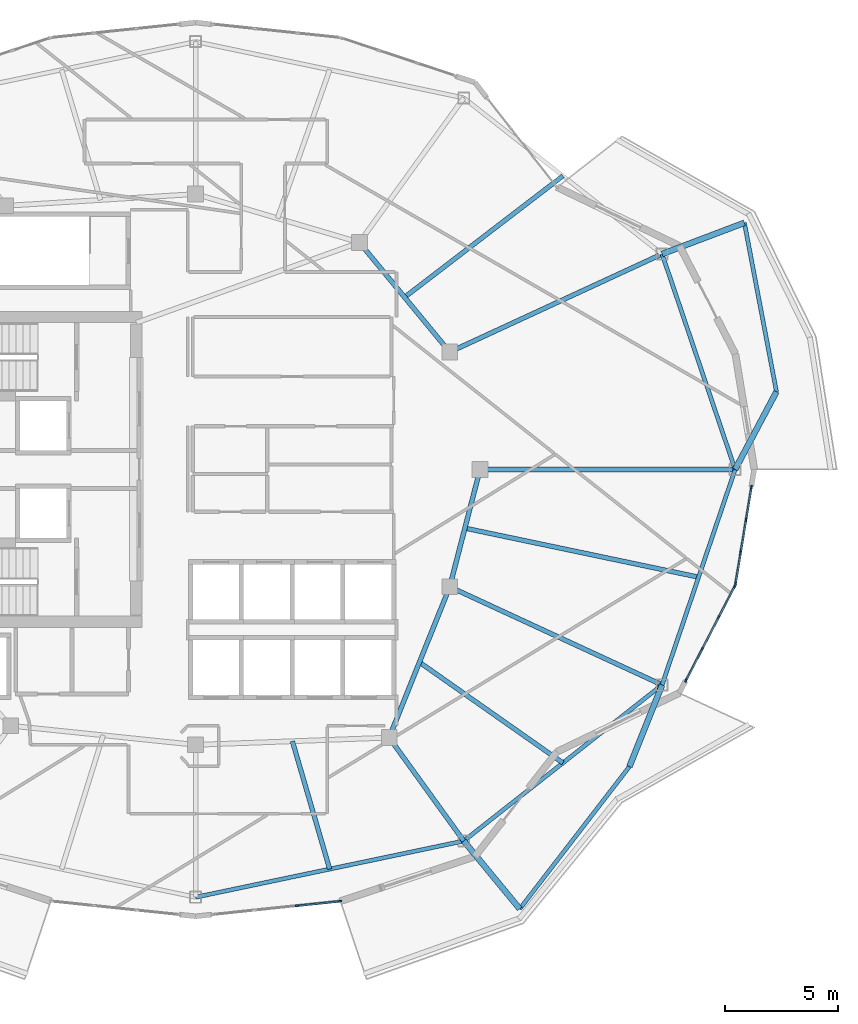
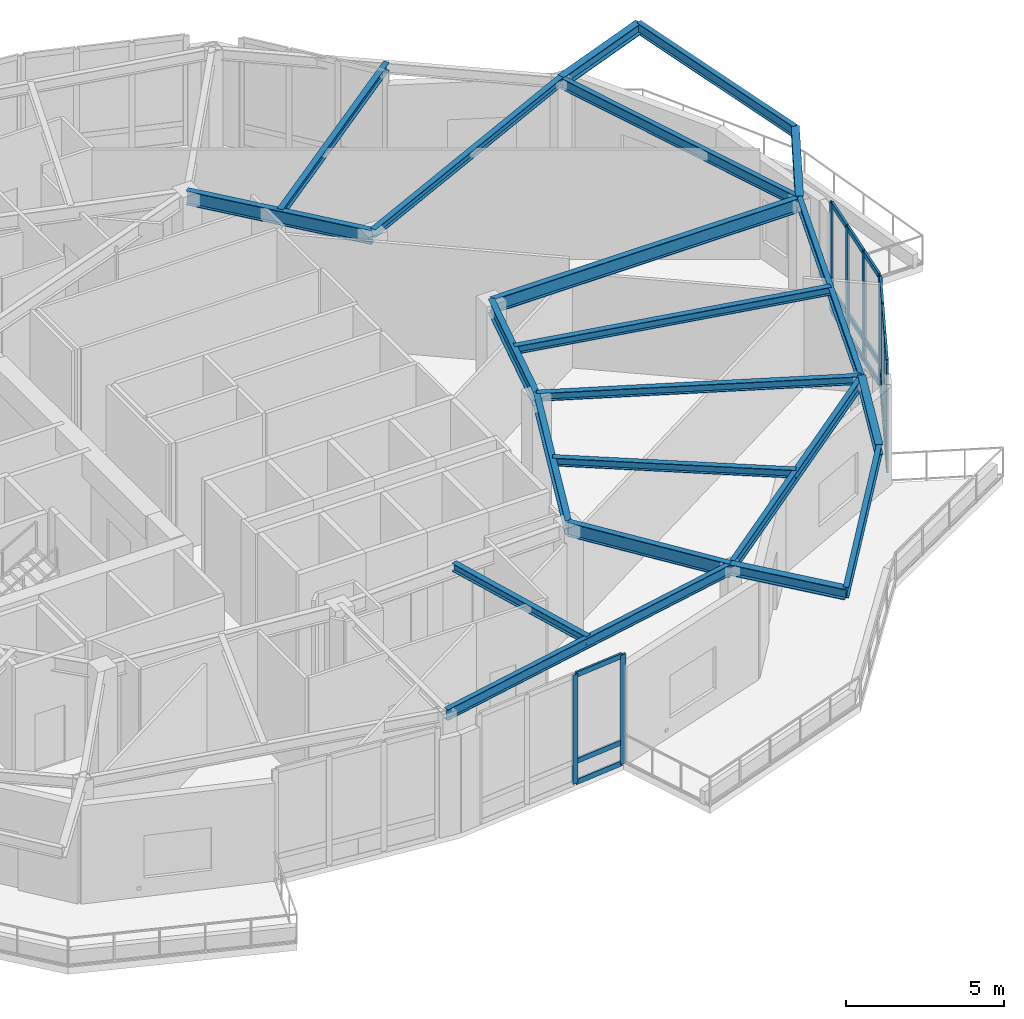
# One storey, part 4 of 15: 31 members, 21 beams, 3 elements without a shape of their own.
"""IFC4 building model written with IfcOpenShell, lengths in metres."""

from ifc_helpers import new_model, si_unit, direction, frame, origin, origin_2d, place, context, subcontext, project, spatial, rectangle, i_section, extrude, material, layer, layer_set, material_profile, profile_set, type_object, element, aggregate, save


model = new_model("IFC4")

# Units and contexts
model_context = context("Model", 3, precision=1e-05, world=origin(), true_north=direction((0.0, 1.0)))
body_context = subcontext(model_context, "Body", "Model", "MODEL_VIEW")
ifc_project = project(units=[si_unit("LENGTHUNIT", "METRE"), si_unit("AREAUNIT", "SQUARE_METRE"), si_unit("VOLUMEUNIT", "CUBIC_METRE"), si_unit("PLANEANGLEUNIT", "RADIAN"), si_unit("MASSUNIT", "GRAM", prefix="KILO")], contexts=[model_context])

# Site, building, storey
site_placement = place(None, origin())
site = spatial("IfcSite", under=ifc_project, at=site_placement, CompositionType="ELEMENT")
building_placement = place(site_placement, origin())
building = spatial("IfcBuilding", under=site, at=building_placement, Name="Kolvaren Gate Tower and Convention Centre", CompositionType="ELEMENT")
storey_placement = place(building_placement, frame((0.0, 0.0, 191.89990234375)))
storey = spatial("IfcBuildingStorey", under=building, at=storey_placement, Name="L50", CompositionType="ELEMENT", Elevation=191.89990234375)

# Curtain wall, members
ifc_material_1 = material(Name="Anodized Architectural Aluminium Alloy 6063-T6", Category="aluminium")
ifc_layer = layer(ifc_material_1, 0.199951171875)
ifc_layer_set = layer_set([ifc_layer], Name="Anodized Architectural Aluminium Alloy 6063-T6")
curtain_wall_type = type_object("IfcCurtainWallType", Name="CW-SKY-GLZ", PredefinedType="NOTDEFINED", material=ifc_layer_set)
curtain_wall_1_placement = place(storey_placement, origin())
curtain_wall_1 = element("IfcCurtainWall", 1, at=curtain_wall_1_placement, inside=storey, type_object=curtain_wall_type, Name="L50 Panoramic Structural Curtain Wall CW-18", PredefinedType="NOTDEFINED")
ifc_material_profile_1 = material_profile(ifc_material_1, rectangle(XDim=0.074951171875, YDim=0.199951171875, at=origin_2d()), Name="CW-MEM-MUL-200")
ifc_profile_set_1 = profile_set([ifc_material_profile_1], Name="Anodized Architectural Aluminium Alloy 6063-T6")
member_type_1 = type_object("IfcMemberType", Name="CW-MEM-MUL-200", PredefinedType="MULLION", material=ifc_profile_set_1)
member_1_placement = place(storey_placement, frame((34.63720703125, 7.67529296875, 0.0), z_axis=(0.0, 0.0, 1.0), x_axis=(-0.104740372947, 0.994499599937, 0.0)))
member_1 = element("IfcMember", 2, at=member_1_placement, type_object=member_type_1, Name="CW-05 mullion 3", PredefinedType="MULLION", context=body_context, shape_type="SweptSolid", body=[
    extrude(rectangle(XDim=0.074951171875, YDim=0.199951171875, at=origin_2d()), origin(), (0.0, 0.0, 1.0), 4.22998046875),
])
member_2_placement = place(storey_placement, frame((36.493408203125, 7.870849609375, 0.0), z_axis=(0.0, 0.0, 1.0), x_axis=(-0.104740372947, 0.994499599937, 0.0)))
member_2 = element("IfcMember", 3, at=member_2_placement, type_object=member_type_1, Name="CW-05 mullion 4", PredefinedType="MULLION", context=body_context, shape_type="SweptSolid", body=[
    extrude(rectangle(XDim=0.074951171875, YDim=0.199951171875, at=origin_2d()), origin(), (0.0, 0.0, 1.0), 4.22998046875),
])

curtain_wall_2_placement = place(storey_placement, origin())
curtain_wall_2 = element("IfcCurtainWall", 4, at=curtain_wall_2_placement, inside=storey, type_object=curtain_wall_type, Name="L50 Panoramic Structural Curtain Wall CW-22", PredefinedType="NOTDEFINED")
member_3_placement = place(storey_placement, frame((51.85302734375, 17.66796875, 0.0), z_axis=(0.0, 0.0, 1.0), x_axis=(-0.888022503095, 0.459799993472, 0.0)))
member_3 = element("IfcMember", 5, at=member_3_placement, type_object=member_type_1, Name="CW-05 mullion 1", PredefinedType="MULLION", context=body_context, shape_type="SweptSolid", body=[
    extrude(rectangle(XDim=0.074951171875, YDim=0.199951171875, at=origin_2d()), origin(), (0.0, 0.0, 1.0), 4.22998046875),
])
member_4_placement = place(storey_placement, frame((52.56787109375, 19.048095703125, 0.0), z_axis=(0.0, 0.0, 1.0), x_axis=(-0.888022503095, 0.459799993472, 0.0)))
member_4 = element("IfcMember", 6, at=member_4_placement, type_object=member_type_1, Name="CW-05 mullion 2", PredefinedType="MULLION", context=body_context, shape_type="SweptSolid", body=[
    extrude(rectangle(XDim=0.074951171875, YDim=0.199951171875, at=origin_2d()), origin(), (0.0, 0.0, 1.0), 4.22998046875),
])
member_5_placement = place(storey_placement, frame((53.2998046875, 20.4619140625, 0.0), z_axis=(0.0, 0.0, 1.0), x_axis=(-0.888022503095, 0.459799993472, 0.0)))
member_5 = element("IfcMember", 7, at=member_5_placement, type_object=member_type_1, Name="CW-05 mullion 3", PredefinedType="MULLION", context=body_context, shape_type="SweptSolid", body=[
    extrude(rectangle(XDim=0.074951171875, YDim=0.199951171875, at=origin_2d()), origin(), (0.0, 0.0, 1.0), 4.22998046875),
])
member_6_placement = place(storey_placement, frame((54.014404296875, 21.842041015625, 0.0), z_axis=(0.0, 0.0, 1.0), x_axis=(-0.888022503095, 0.459799993472, 0.0)))
member_6 = element("IfcMember", 8, at=member_6_placement, type_object=member_type_1, Name="CW-05 mullion 4", PredefinedType="MULLION", context=body_context, shape_type="SweptSolid", body=[
    extrude(rectangle(XDim=0.074951171875, YDim=0.199951171875, at=origin_2d()), origin(), (0.0, 0.0, 1.0), 4.22998046875),
])

curtain_wall_3_placement = place(storey_placement, origin())
curtain_wall_3 = element("IfcCurtainWall", 9, at=curtain_wall_3_placement, inside=storey, type_object=curtain_wall_type, Name="L50 Panoramic Structural Curtain Wall CW-23", PredefinedType="NOTDEFINED")
member_7_placement = place(storey_placement, frame((54.037841796875, 21.912353515625, 0.0), z_axis=(0.0, 0.0, 1.0), x_axis=(-0.986730888118, 0.162364264646, 0.0)))
member_7 = element("IfcMember", 10, at=member_7_placement, type_object=member_type_1, Name="CW-05 mullion 1", PredefinedType="MULLION", context=body_context, shape_type="SweptSolid", body=[
    extrude(rectangle(XDim=0.074951171875, YDim=0.199951171875, at=origin_2d()), origin(), (0.0, 0.0, 1.0), 4.22998046875),
])
member_8_placement = place(storey_placement, frame((54.270751953125, 23.327880859375, 0.0), z_axis=(0.0, 0.0, 1.0), x_axis=(-0.986730888118, 0.162364264646, 0.0)))
member_8 = element("IfcMember", 11, at=member_8_placement, type_object=member_type_1, Name="CW-05 mullion 2", PredefinedType="MULLION", context=body_context, shape_type="SweptSolid", body=[
    extrude(rectangle(XDim=0.074951171875, YDim=0.199951171875, at=origin_2d()), origin(), (0.0, 0.0, 1.0), 4.22998046875),
])
member_9_placement = place(storey_placement, frame((54.509765625, 24.7802734375, 0.0), z_axis=(0.0, 0.0, 1.0), x_axis=(-0.986730888118, 0.162364264646, 0.0)))
member_9 = element("IfcMember", 12, at=member_9_placement, type_object=member_type_1, Name="CW-05 mullion 3", PredefinedType="MULLION", context=body_context, shape_type="SweptSolid", body=[
    extrude(rectangle(XDim=0.074951171875, YDim=0.199951171875, at=origin_2d()), origin(), (0.0, 0.0, 1.0), 4.22998046875),
])
member_10_placement = place(storey_placement, frame((54.74267578125, 26.19580078125, 0.0), z_axis=(0.0, 0.0, 1.0), x_axis=(-0.986730888118, 0.162364264646, 0.0)))
member_10 = element("IfcMember", 13, at=member_10_placement, type_object=member_type_1, Name="CW-05 mullion 4", PredefinedType="MULLION", context=body_context, shape_type="SweptSolid", body=[
    extrude(rectangle(XDim=0.074951171875, YDim=0.199951171875, at=origin_2d()), origin(), (0.0, 0.0, 1.0), 4.22998046875),
])

# Member
ifc_material_profile_2 = material_profile(ifc_material_1, rectangle(XDim=0.074951171875, YDim=0.199951171875, at=origin_2d()), Name="CW-MEM-TRN-200")
ifc_profile_set_2 = profile_set([ifc_material_profile_2], Name="Anodized Architectural Aluminium Alloy 6063-T6")
member_type_2 = type_object("IfcMemberType", Name="CW-MEM-TRN-200", PredefinedType="USERDEFINED", material=ifc_profile_set_2)
member_11_placement = place(storey_placement, frame((34.674560546875, 7.67919921875, 0.03759765625), z_axis=(0.994494247003, 0.104791186071, 0.0), x_axis=(-0.104791186071, 0.994494247003, 0.0)))
member_11 = element("IfcMember", 14, at=member_11_placement, type_object=member_type_2, Name="CW-05 transom 3.1", ObjectType="TRANSOM", PredefinedType="USERDEFINED", context=body_context, shape_type="SweptSolid", body=[
    extrude(rectangle(XDim=0.074951171875, YDim=0.199951171875, at=origin_2d()), origin(), (0.0, 0.0, 1.0), 1.79150390625),
])

member_12_placement = place(storey_placement, frame((34.674560546875, 7.67919921875, 0.85009765625), z_axis=(0.994494247003, 0.104791186071, 0.0), x_axis=(-0.104791186071, 0.994494247003, 0.0)))
member_12 = element("IfcMember", 15, at=member_12_placement, type_object=member_type_2, Name="CW-05 transom 3.2", ObjectType="TRANSOM", PredefinedType="USERDEFINED", context=body_context, shape_type="SweptSolid", body=[
    extrude(rectangle(XDim=0.074951171875, YDim=0.199951171875, at=origin_2d()), origin(), (0.0, 0.0, 1.0), 1.79150390625),
])

member_13_placement = place(storey_placement, frame((34.674560546875, 7.67919921875, 4.192626953125), z_axis=(0.994494247003, 0.104791186071, 0.0), x_axis=(-0.104791186071, 0.994494247003, 0.0)))
member_13 = element("IfcMember", 16, at=member_13_placement, type_object=member_type_2, Name="CW-05 transom 3.3", ObjectType="TRANSOM", PredefinedType="USERDEFINED", context=body_context, shape_type="SweptSolid", body=[
    extrude(rectangle(XDim=0.074951171875, YDim=0.199951171875, at=origin_2d()), origin(), (0.0, 0.0, 1.0), 1.79150390625),
])

aggregate(curtain_wall_1, [member_1, member_2, member_11, member_12, member_13])

member_14_placement = place(storey_placement, frame((51.870361328125, 17.701171875, 0.03759765625), z_axis=(0.459777560485, 0.88803411808, 0.0), x_axis=(-0.88803411808, 0.459777560485, 0.0)))
member_14 = element("IfcMember", 17, at=member_14_placement, type_object=member_type_2, Name="CW-05 transom 1.1", ObjectType="TRANSOM", PredefinedType="USERDEFINED", context=body_context, shape_type="SweptSolid", body=[
    extrude(rectangle(XDim=0.074951171875, YDim=0.199951171875, at=origin_2d()), origin(), (0.0, 0.0, 1.0), 1.479248046875),
])

member_15_placement = place(storey_placement, frame((51.870361328125, 17.701171875, 0.85009765625), z_axis=(0.459777560485, 0.88803411808, 0.0), x_axis=(-0.88803411808, 0.459777560485, 0.0)))
member_15 = element("IfcMember", 18, at=member_15_placement, type_object=member_type_2, Name="CW-05 transom 1.2", ObjectType="TRANSOM", PredefinedType="USERDEFINED", context=body_context, shape_type="SweptSolid", body=[
    extrude(rectangle(XDim=0.074951171875, YDim=0.199951171875, at=origin_2d()), origin(), (0.0, 0.0, 1.0), 1.479248046875),
])

member_16_placement = place(storey_placement, frame((51.870361328125, 17.701171875, 4.192626953125), z_axis=(0.459777560485, 0.88803411808, 0.0), x_axis=(-0.88803411808, 0.459777560485, 0.0)))
member_16 = element("IfcMember", 19, at=member_16_placement, type_object=member_type_2, Name="CW-05 transom 1.3", ObjectType="TRANSOM", PredefinedType="USERDEFINED", context=body_context, shape_type="SweptSolid", body=[
    extrude(rectangle(XDim=0.074951171875, YDim=0.199951171875, at=origin_2d()), origin(), (0.0, 0.0, 1.0), 1.479248046875),
])

member_17_placement = place(storey_placement, frame((52.5849609375, 19.08154296875, 0.03759765625), z_axis=(0.459851981241, 0.887995582956, 0.0), x_axis=(-0.887995582956, 0.459851981241, 0.0)))
member_17 = element("IfcMember", 20, at=member_17_placement, type_object=member_type_2, Name="CW-05 transom 2.1", ObjectType="TRANSOM", PredefinedType="USERDEFINED", context=body_context, shape_type="SweptSolid", body=[
    extrude(rectangle(XDim=0.074951171875, YDim=0.199951171875, at=origin_2d()), origin(), (0.0, 0.0, 1.0), 1.516845703125),
])

member_18_placement = place(storey_placement, frame((52.5849609375, 19.08154296875, 0.85009765625), z_axis=(0.459851981241, 0.887995582956, 0.0), x_axis=(-0.887995582956, 0.459851981241, 0.0)))
member_18 = element("IfcMember", 21, at=member_18_placement, type_object=member_type_2, Name="CW-05 transom 2.2", ObjectType="TRANSOM", PredefinedType="USERDEFINED", context=body_context, shape_type="SweptSolid", body=[
    extrude(rectangle(XDim=0.074951171875, YDim=0.199951171875, at=origin_2d()), origin(), (0.0, 0.0, 1.0), 1.516845703125),
])

member_19_placement = place(storey_placement, frame((52.5849609375, 19.08154296875, 4.192626953125), z_axis=(0.459851981241, 0.887995582956, 0.0), x_axis=(-0.887995582956, 0.459851981241, 0.0)))
member_19 = element("IfcMember", 22, at=member_19_placement, type_object=member_type_2, Name="CW-05 transom 2.3", ObjectType="TRANSOM", PredefinedType="USERDEFINED", context=body_context, shape_type="SweptSolid", body=[
    extrude(rectangle(XDim=0.074951171875, YDim=0.199951171875, at=origin_2d()), origin(), (0.0, 0.0, 1.0), 1.516845703125),
])

member_20_placement = place(storey_placement, frame((53.31689453125, 20.4951171875, 0.03759765625), z_axis=(0.459907690216, 0.887966731629, 0.0), x_axis=(-0.887966731629, 0.459907690216, 0.0)))
member_20 = element("IfcMember", 23, at=member_20_placement, type_object=member_type_2, Name="CW-05 transom 3.1", ObjectType="TRANSOM", PredefinedType="USERDEFINED", context=body_context, shape_type="SweptSolid", body=[
    extrude(rectangle(XDim=0.074951171875, YDim=0.199951171875, at=origin_2d()), origin(), (0.0, 0.0, 1.0), 1.4794921875),
])

member_21_placement = place(storey_placement, frame((53.31689453125, 20.4951171875, 0.85009765625), z_axis=(0.459907690216, 0.887966731629, 0.0), x_axis=(-0.887966731629, 0.459907690216, 0.0)))
member_21 = element("IfcMember", 24, at=member_21_placement, type_object=member_type_2, Name="CW-05 transom 3.2", ObjectType="TRANSOM", PredefinedType="USERDEFINED", context=body_context, shape_type="SweptSolid", body=[
    extrude(rectangle(XDim=0.074951171875, YDim=0.199951171875, at=origin_2d()), origin(), (0.0, 0.0, 1.0), 1.4794921875),
])

member_22_placement = place(storey_placement, frame((53.31689453125, 20.4951171875, 4.192626953125), z_axis=(0.459907690216, 0.887966731629, 0.0), x_axis=(-0.887966731629, 0.459907690216, 0.0)))
member_22 = element("IfcMember", 25, at=member_22_placement, type_object=member_type_2, Name="CW-05 transom 3.3", ObjectType="TRANSOM", PredefinedType="USERDEFINED", context=body_context, shape_type="SweptSolid", body=[
    extrude(rectangle(XDim=0.074951171875, YDim=0.199951171875, at=origin_2d()), origin(), (0.0, 0.0, 1.0), 1.4794921875),
])

aggregate(curtain_wall_2, [member_3, member_4, member_5, member_6, member_14, member_15, member_16, member_17, member_18, member_19, member_20, member_21, member_22])

member_23_placement = place(storey_placement, frame((54.0439453125, 21.949462890625, 0.03759765625), z_axis=(0.162359914443, 0.986731603924, 0.0), x_axis=(-0.986731603924, 0.162359914443, 0.0)))
member_23 = element("IfcMember", 26, at=member_23_placement, type_object=member_type_2, Name="CW-05 transom 1.1", ObjectType="TRANSOM", PredefinedType="USERDEFINED", context=body_context, shape_type="SweptSolid", body=[
    extrude(rectangle(XDim=0.074951171875, YDim=0.199951171875, at=origin_2d()), origin(), (0.0, 0.0, 1.0), 1.359375),
])

member_24_placement = place(storey_placement, frame((54.0439453125, 21.949462890625, 0.85009765625), z_axis=(0.162359914443, 0.986731603924, 0.0), x_axis=(-0.986731603924, 0.162359914443, 0.0)))
member_24 = element("IfcMember", 27, at=member_24_placement, type_object=member_type_2, Name="CW-05 transom 1.2", ObjectType="TRANSOM", PredefinedType="USERDEFINED", context=body_context, shape_type="SweptSolid", body=[
    extrude(rectangle(XDim=0.074951171875, YDim=0.199951171875, at=origin_2d()), origin(), (0.0, 0.0, 1.0), 1.359375),
])

member_25_placement = place(storey_placement, frame((54.0439453125, 21.949462890625, 4.192626953125), z_axis=(0.162359914443, 0.986731603924, 0.0), x_axis=(-0.986731603924, 0.162359914443, 0.0)))
member_25 = element("IfcMember", 28, at=member_25_placement, type_object=member_type_2, Name="CW-05 transom 1.3", ObjectType="TRANSOM", PredefinedType="USERDEFINED", context=body_context, shape_type="SweptSolid", body=[
    extrude(rectangle(XDim=0.074951171875, YDim=0.199951171875, at=origin_2d()), origin(), (0.0, 0.0, 1.0), 1.359375),
])

member_26_placement = place(storey_placement, frame((54.27685546875, 23.364990234375, 0.03759765625), z_axis=(0.162358118073, 0.986731899503, 0.0), x_axis=(-0.986731899503, 0.162358118073, 0.0)))
member_26 = element("IfcMember", 29, at=member_26_placement, type_object=member_type_2, Name="CW-05 transom 2.1", ObjectType="TRANSOM", PredefinedType="USERDEFINED", context=body_context, shape_type="SweptSolid", body=[
    extrude(rectangle(XDim=0.074951171875, YDim=0.199951171875, at=origin_2d()), origin(), (0.0, 0.0, 1.0), 1.39697265625),
])

member_27_placement = place(storey_placement, frame((54.27685546875, 23.364990234375, 0.85009765625), z_axis=(0.162358118073, 0.986731899503, 0.0), x_axis=(-0.986731899503, 0.162358118073, 0.0)))
member_27 = element("IfcMember", 30, at=member_27_placement, type_object=member_type_2, Name="CW-05 transom 2.2", ObjectType="TRANSOM", PredefinedType="USERDEFINED", context=body_context, shape_type="SweptSolid", body=[
    extrude(rectangle(XDim=0.074951171875, YDim=0.199951171875, at=origin_2d()), origin(), (0.0, 0.0, 1.0), 1.39697265625),
])

member_28_placement = place(storey_placement, frame((54.27685546875, 23.364990234375, 4.192626953125), z_axis=(0.162358118073, 0.986731899503, 0.0), x_axis=(-0.986731899503, 0.162358118073, 0.0)))
member_28 = element("IfcMember", 31, at=member_28_placement, type_object=member_type_2, Name="CW-05 transom 2.3", ObjectType="TRANSOM", PredefinedType="USERDEFINED", context=body_context, shape_type="SweptSolid", body=[
    extrude(rectangle(XDim=0.074951171875, YDim=0.199951171875, at=origin_2d()), origin(), (0.0, 0.0, 1.0), 1.39697265625),
])

member_29_placement = place(storey_placement, frame((54.515869140625, 24.8173828125, 0.03759765625), z_axis=(0.162359914443, 0.986731603924, 0.0), x_axis=(-0.986731603924, 0.162359914443, 0.0)))
member_29 = element("IfcMember", 32, at=member_29_placement, type_object=member_type_2, Name="CW-05 transom 3.1", ObjectType="TRANSOM", PredefinedType="USERDEFINED", context=body_context, shape_type="SweptSolid", body=[
    extrude(rectangle(XDim=0.074951171875, YDim=0.199951171875, at=origin_2d()), origin(), (0.0, 0.0, 1.0), 1.359375),
])

member_30_placement = place(storey_placement, frame((54.515869140625, 24.8173828125, 0.85009765625), z_axis=(0.162359914443, 0.986731603924, 0.0), x_axis=(-0.986731603924, 0.162359914443, 0.0)))
member_30 = element("IfcMember", 33, at=member_30_placement, type_object=member_type_2, Name="CW-05 transom 3.2", ObjectType="TRANSOM", PredefinedType="USERDEFINED", context=body_context, shape_type="SweptSolid", body=[
    extrude(rectangle(XDim=0.074951171875, YDim=0.199951171875, at=origin_2d()), origin(), (0.0, 0.0, 1.0), 1.359375),
])

member_31_placement = place(storey_placement, frame((54.515869140625, 24.8173828125, 4.192626953125), z_axis=(0.162359914443, 0.986731603924, 0.0), x_axis=(-0.986731603924, 0.162359914443, 0.0)))
member_31 = element("IfcMember", 34, at=member_31_placement, type_object=member_type_2, Name="CW-05 transom 3.3", ObjectType="TRANSOM", PredefinedType="USERDEFINED", context=body_context, shape_type="SweptSolid", body=[
    extrude(rectangle(XDim=0.074951171875, YDim=0.199951171875, at=origin_2d()), origin(), (0.0, 0.0, 1.0), 1.359375),
])

aggregate(curtain_wall_3, [member_7, member_8, member_9, member_10, member_23, member_24, member_25, member_26, member_27, member_28, member_29, member_30, member_31])

# Beams
ifc_material_2 = material(Name="Structural steel ASTM A992 Grade 345 MPa", Category="steel")
ifc_material_profile_3 = material_profile(ifc_material_2, i_section(OverallWidth=0.260009765625, OverallDepth=0.419921875, WebThickness=0.013427734375, FlangeThickness=0.0224609375, at=origin_2d()), Name="W410X132")
ifc_profile_set_3 = profile_set([ifc_material_profile_3], Name="Structural steel ASTM A992 Grade 345 MPa")
beam_type_1 = type_object("IfcBeamType", Name="STR-BM-W410X132", PredefinedType="BEAM", material=ifc_profile_set_3)
for number, where, z_axis, x_axis, name in (
    (35, (54.02490234375, 27.0, 4.0205078125), (0.469557949111, 0.882901655014, 0.0), (-0.882901655014, 0.469557949111, 0.0), "Tower L51 Planted Balcony Outrigger Cantilever BC-1A"),
    (36, (50.787353515625, 36.543701171875, 4.0205078125), (0.935223524141, 0.354057848229, 0.0), (-0.354057848229, 0.935223524141, 0.0), "Tower L51 Planted Balcony Outrigger Cantilever BC-1B"),
):
    element("IfcBeam", number, at=place(storey_placement, frame(where, z_axis=z_axis, x_axis=x_axis)), inside=storey, type_object=beam_type_1, Name=name, PredefinedType="BEAM", context=body_context, shape_type="SweptSolid", body=[
        extrude(i_section(OverallWidth=0.260009765625, OverallDepth=0.419921875, WebThickness=0.013427734375, FlangeThickness=0.0224609375, at=origin_2d()), origin(), (0.0, 0.0, 1.0), 3.900146484375),
    ])
for number, where, z_axis, x_axis, name in (
    (37, (42.002685546875, 10.5419921875, 4.0205078125), (0.636086782115, -0.771617525474, 0.0), (0.771617525474, 0.636086782115, 0.0), "Tower L51 Planted Balcony Outrigger Cantilever BC-4A"),
    (38, (50.787353515625, 17.456298828125, 4.0205078125), (-0.370926499602, -0.92866222702, 0.0), (0.92866222702, -0.370926499602, 0.0), "Tower L51 Planted Balcony Outrigger Cantilever BC-4B"),
):
    element("IfcBeam", number, at=place(storey_placement, frame(where, z_axis=z_axis, x_axis=x_axis)), inside=storey, type_object=beam_type_1, Name=name, PredefinedType="BEAM", context=body_context, shape_type="SweptSolid", body=[
        extrude(i_section(OverallWidth=0.260009765625, OverallDepth=0.419921875, WebThickness=0.013427734375, FlangeThickness=0.0224609375, at=origin_2d()), origin(), (0.0, 0.0, 1.0), 3.89990234375),
    ])
ifc_material_profile_4 = material_profile(ifc_material_2, i_section(OverallWidth=0.2119140625, OverallDepth=0.5439453125, WebThickness=0.01318359375, FlangeThickness=0.021240234375, at=origin_2d()), Name="W530X123")
ifc_profile_set_4 = profile_set([ifc_material_profile_4], Name="Structural steel ASTM A992 Grade 345 MPa")
beam_type_2 = type_object("IfcBeamType", Name="STR-BM-W530X123", PredefinedType="BEAM", material=ifc_profile_set_4)
beam_1_placement = place(storey_placement, frame((42.72509765625, 27.0, 3.9580078125), z_axis=(-0.250091133936, -0.968222301296, 0.0), x_axis=(0.968222301296, -0.250091133936, 0.0)))
element("IfcBeam", 39, at=beam_1_placement, inside=storey, type_object=beam_type_2, Name="Tower L50 Primary Ring Girder G-01", PredefinedType="BEAM", context=body_context, shape_type="SweptSolid", body=[
    extrude(i_section(OverallWidth=0.2119140625, OverallDepth=0.5439453125, WebThickness=0.01318359375, FlangeThickness=0.021240234375, at=origin_2d()), origin(), (0.0, 0.0, 1.0), 5.3701171875),
])
beam_2_placement = place(storey_placement, frame((41.382080078125, 32.199462890625, 3.9580078125), z_axis=(-0.635884066011, 0.771784590798, 0.0), x_axis=(-0.771784590798, -0.635884066011, 0.0)))
element("IfcBeam", 40, at=beam_2_placement, inside=storey, type_object=beam_type_2, Name="Tower L50 Primary Ring Girder G-02", PredefinedType="BEAM", context=body_context, shape_type="SweptSolid", body=[
    extrude(i_section(OverallWidth=0.2119140625, OverallDepth=0.5439453125, WebThickness=0.01318359375, FlangeThickness=0.021240234375, at=origin_2d()), origin(), (0.0, 0.0, 1.0), 6.291259765625),
])
beam_3_placement = place(storey_placement, frame((38.6982421875, 15.12060546875, 3.9580078125), z_axis=(0.372811100169, 0.927907260232, 0.0), x_axis=(-0.927907260232, 0.372811100169, 0.0)))
element("IfcBeam", 41, at=beam_3_placement, inside=storey, type_object=beam_type_2, Name="Tower L50 Primary Ring Girder G-09", PredefinedType="BEAM", context=body_context, shape_type="SweptSolid", body=[
    extrude(i_section(OverallWidth=0.2119140625, OverallDepth=0.5439453125, WebThickness=0.01318359375, FlangeThickness=0.021240234375, at=origin_2d()), origin(), (0.0, 0.0, 1.0), 7.198974609375),
])
beam_4_placement = place(storey_placement, frame((42.72509765625, 27.0, 3.9580078125), z_axis=(1.0, 0.0, 0.0), x_axis=(0.0, 1.0, 0.0)))
element("IfcBeam", 42, at=beam_4_placement, inside=storey, type_object=beam_type_2, Name="Tower L50 Radial Floor Girder RB-01", PredefinedType="BEAM", context=body_context, shape_type="SweptSolid", body=[
    extrude(i_section(OverallWidth=0.2119140625, OverallDepth=0.5439453125, WebThickness=0.01318359375, FlangeThickness=0.021240234375, at=origin_2d()), origin(), (0.0, 0.0, 1.0), 11.2998046875),
])
beam_5_placement = place(storey_placement, frame((38.6982421875, 15.12060546875, 3.9580078125), z_axis=(0.585218993275, -0.810875286286, 0.0), x_axis=(0.810875286286, 0.585218993275, 0.0)))
element("IfcBeam", 43, at=beam_5_placement, inside=storey, type_object=beam_type_2, Name="Tower L50 Radial Floor Girder RB-11", PredefinedType="BEAM", context=body_context, shape_type="SweptSolid", body=[
    extrude(i_section(OverallWidth=0.2119140625, OverallDepth=0.5439453125, WebThickness=0.01318359375, FlangeThickness=0.021240234375, at=origin_2d()), origin(), (0.0, 0.0, 1.0), 5.646484375),
])
ifc_material_profile_5 = material_profile(ifc_material_2, i_section(OverallWidth=0.205078125, OverallDepth=0.31005859375, WebThickness=0.009521484375, FlangeThickness=0.016357421875, at=origin_2d()), Name="W310X74")
ifc_profile_set_5 = profile_set([ifc_material_profile_5], Name="Structural steel ASTM A992 Grade 345 MPa")
beam_type_3 = type_object("IfcBeamType", Name="STR-JS-W310X74", PredefinedType="JOIST", material=ifc_profile_set_5)
for number, where, z_axis, x_axis, name in (
    (44, (41.382080078125, 32.199462890625, 4.0751953125), (0.907836575129, 0.419324162025, 0.0), (-0.419324162025, 0.907836575129, 0.0), "Tower L50 Radial Floor Girder RB-02"),
    (45, (41.382080078125, 21.800537109375, 4.0751953125), (0.907836575129, -0.419324162025, 0.0), (0.419324162025, 0.907836575129, 0.0), "Tower L50 Radial Floor Girder RB-12"),
):
    element("IfcBeam", number, at=place(storey_placement, frame(where, z_axis=z_axis, x_axis=x_axis)), inside=storey, type_object=beam_type_3, Name=name, PredefinedType="JOIST", context=body_context, shape_type="SweptSolid", body=[
        extrude(i_section(OverallWidth=0.205078125, OverallDepth=0.31005859375, WebThickness=0.009521484375, FlangeThickness=0.016357421875, at=origin_2d()), origin(), (0.0, 0.0, 1.0), 10.360107421875),
    ])
beam_6_placement = place(storey_placement, frame((39.3818359375, 34.627197265625, 4.0751953125), z_axis=(0.793783340844, 0.608200631205, 0.0), x_axis=(-0.608200631205, 0.793783340844, 0.0)))
element("IfcBeam", 46, at=beam_6_placement, inside=storey, type_object=beam_type_3, Name="Tower L50 Secondary Composite Floor Joist J-02.1", PredefinedType="JOIST", context=body_context, shape_type="SweptSolid", body=[
    extrude(i_section(OverallWidth=0.205078125, OverallDepth=0.31005859375, WebThickness=0.009521484375, FlangeThickness=0.016357421875, at=origin_2d()), origin(), (0.0, 0.0, 1.0), 8.835205078125),
])
beam_7_placement = place(storey_placement, frame((34.41162109375, 14.960205078125, 4.0751953125), z_axis=(0.280001588896, -0.959999536571, 0.0), x_axis=(0.959999536571, 0.280001588896, 0.0)))
element("IfcBeam", 47, at=beam_7_placement, inside=storey, type_object=beam_type_3, Name="Tower L50 Secondary Composite Floor Joist J-10.1", PredefinedType="JOIST", context=body_context, shape_type="SweptSolid", body=[
    extrude(i_section(OverallWidth=0.205078125, OverallDepth=0.31005859375, WebThickness=0.009521484375, FlangeThickness=0.016357421875, at=origin_2d()), origin(), (0.0, 0.0, 1.0), 5.900390625),
])
beam_8_placement = place(storey_placement, frame((40.040283203125, 18.46044921875, 4.0751953125), z_axis=(0.81845266589, -0.574573958423, 0.0), x_axis=(0.574573958423, 0.81845266589, 0.0)))
element("IfcBeam", 48, at=beam_8_placement, inside=storey, type_object=beam_type_3, Name="Tower L50 Secondary Composite Floor Joist J-11.1", PredefinedType="JOIST", context=body_context, shape_type="SweptSolid", body=[
    extrude(i_section(OverallWidth=0.205078125, OverallDepth=0.31005859375, WebThickness=0.009521484375, FlangeThickness=0.016357421875, at=origin_2d()), origin(), (0.0, 0.0, 1.0), 7.764404296875),
])
beam_9_placement = place(storey_placement, frame((42.0537109375, 24.400146484375, 4.0751953125), z_axis=(0.978694513543, -0.205321818519, 0.0), x_axis=(0.205321818519, 0.978694513543, 0.0)))
element("IfcBeam", 49, at=beam_9_placement, inside=storey, type_object=beam_type_3, Name="Tower L50 Secondary Composite Floor Joist J-12.1", PredefinedType="JOIST", context=body_context, shape_type="SweptSolid", body=[
    extrude(i_section(OverallWidth=0.205078125, OverallDepth=0.31005859375, WebThickness=0.009521484375, FlangeThickness=0.016357421875, at=origin_2d()), origin(), (0.0, 0.0, 1.0), 10.577880859375),
])
ifc_material_profile_6 = material_profile(ifc_material_2, i_section(OverallWidth=0.180908203125, OverallDepth=0.4169921875, WebThickness=0.010986328125, FlangeThickness=0.018310546875, at=origin_2d()), Name="W410X85")
ifc_profile_set_6 = profile_set([ifc_material_profile_6], Name="Structural steel ASTM A992 Grade 345 MPa")
beam_type_4 = type_object("IfcBeamType", Name="STR-SP-W410X85", PredefinedType="SPANDREL", material=ifc_profile_set_6)
beam_10_placement = place(storey_placement, frame((54.02490234375, 27.0, 4.021484375), z_axis=(-0.321252507379, 0.946993572577, 0.0), x_axis=(-0.946993572577, -0.321252507379, 0.0)))
element("IfcBeam", 50, at=beam_10_placement, inside=storey, type_object=beam_type_4, Name="Tower L50 Perimeter Spandrel Beam SP-01", PredefinedType="SPANDREL", context=body_context, shape_type="SweptSolid", body=[
    extrude(i_section(OverallWidth=0.180908203125, OverallDepth=0.4169921875, WebThickness=0.010986328125, FlangeThickness=0.018310546875, at=origin_2d()), origin(), (0.0, 0.0, 1.0), 10.077880859375),
])
beam_11_placement = place(storey_placement, frame((30.125, 8.050048828125, 4.021484375), z_axis=(0.978692765917, 0.205330148645, 0.0), x_axis=(-0.205330148645, 0.978692765917, 0.0)))
element("IfcBeam", 51, at=beam_11_placement, inside=storey, type_object=beam_type_4, Name="Tower L50 Perimeter Spandrel Beam SP-10", PredefinedType="SPANDREL", context=body_context, shape_type="SweptSolid", body=[
    extrude(i_section(OverallWidth=0.180908203125, OverallDepth=0.4169921875, WebThickness=0.010986328125, FlangeThickness=0.018310546875, at=origin_2d()), origin(), (0.0, 0.0, 1.0), 12.13623046875),
])
beam_12_placement = place(storey_placement, frame((42.002685546875, 10.5419921875, 4.021484375), z_axis=(0.78579365551, 0.618488747643, 0.0), x_axis=(-0.618488747643, 0.78579365551, 0.0)))
element("IfcBeam", 52, at=beam_12_placement, inside=storey, type_object=beam_type_4, Name="Tower L50 Perimeter Spandrel Beam SP-11", PredefinedType="SPANDREL", context=body_context, shape_type="SweptSolid", body=[
    extrude(i_section(OverallWidth=0.180908203125, OverallDepth=0.4169921875, WebThickness=0.010986328125, FlangeThickness=0.018310546875, at=origin_2d()), origin(), (0.0, 0.0, 1.0), 11.179443359375),
])
beam_13_placement = place(storey_placement, frame((50.787353515625, 17.456298828125, 4.021484375), z_axis=(0.321252507379, 0.946993572577, 0.0), x_axis=(-0.946993572577, 0.321252507379, 0.0)))
element("IfcBeam", 53, at=beam_13_placement, inside=storey, type_object=beam_type_4, Name="Tower L50 Perimeter Spandrel Beam SP-12", PredefinedType="SPANDREL", context=body_context, shape_type="SweptSolid", body=[
    extrude(i_section(OverallWidth=0.180908203125, OverallDepth=0.4169921875, WebThickness=0.010986328125, FlangeThickness=0.018310546875, at=origin_2d()), origin(), (0.0, 0.0, 1.0), 10.077880859375),
])
beam_14_placement = place(storey_placement, frame((55.856201171875, 30.443359375, 4.022216796875), z_axis=(-0.186655385459, 0.982425451156, 0.0), x_axis=(-0.982425451156, -0.186655385459, 0.0)))
element("IfcBeam", 54, at=beam_14_placement, inside=storey, type_object=beam_type_4, Name="Tower L51 Planted Balcony Header Tie Beam BT-1", PredefinedType="SPANDREL", context=body_context, shape_type="SweptSolid", body=[
    extrude(i_section(OverallWidth=0.180908203125, OverallDepth=0.4169921875, WebThickness=0.010986328125, FlangeThickness=0.018310546875, at=origin_2d()), origin(), (0.0, 0.0, 1.0), 7.614990234375),
])
beam_15_placement = place(storey_placement, frame((44.4833984375, 7.53271484375, 4.022216796875), z_axis=(0.61047858823, 0.792032760252, 0.0), x_axis=(-0.792032760252, 0.61047858823, 0.0)))
element("IfcBeam", 55, at=beam_15_placement, inside=storey, type_object=beam_type_4, Name="Tower L51 Planted Balcony Header Tie Beam BT-4", PredefinedType="SPANDREL", context=body_context, shape_type="SweptSolid", body=[
    extrude(i_section(OverallWidth=0.180908203125, OverallDepth=0.4169921875, WebThickness=0.010986328125, FlangeThickness=0.018310546875, at=origin_2d()), origin(), (0.0, 0.0, 1.0), 7.956787109375),
])

save(model, "model.ifc")
